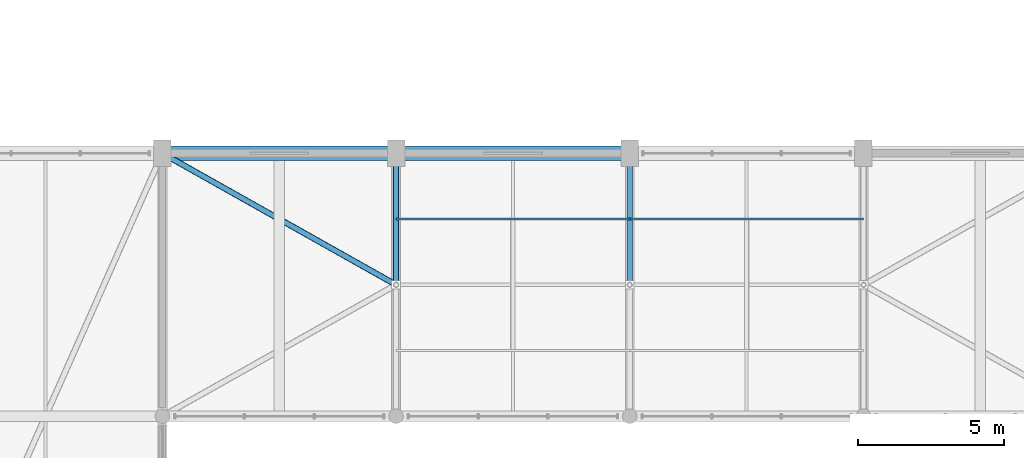
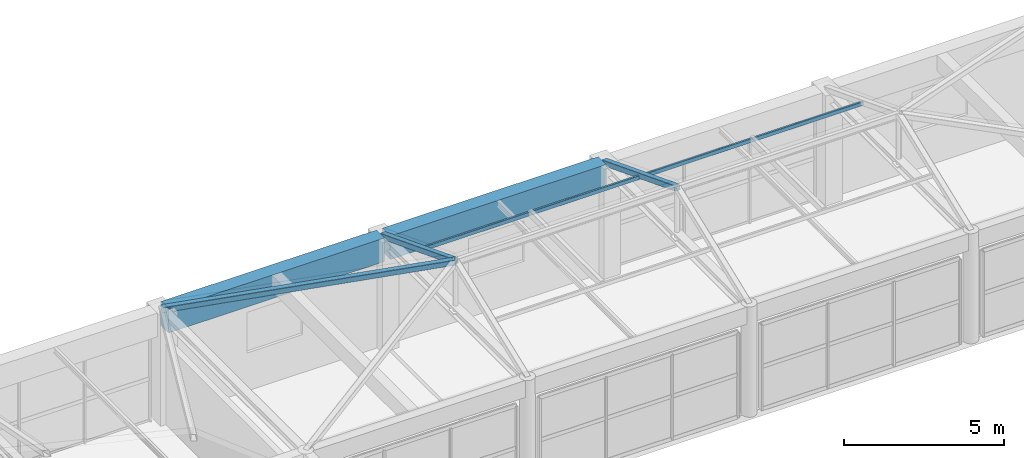
# One storey, part 45 of 65: 5 members, 2 beams.
"""IFC4 building model written with IfcOpenShell, lengths in metres."""

from ifc_helpers import new_model, si_unit, direction, frame, origin, origin_2d, place, context, subcontext, project, spatial, rectangle, hollow_rectangle, extrude, material, material_profile, profile_set, type_object, element, save


model = new_model("IFC4")

# Units and contexts
model_context = context("Model", 3, precision=1e-05, world=origin(), true_north=direction((0.0, 1.0)))
body_context = subcontext(model_context, "Body", "Model", "MODEL_VIEW")
ifc_project = project(units=[si_unit("LENGTHUNIT", "METRE"), si_unit("AREAUNIT", "SQUARE_METRE"), si_unit("VOLUMEUNIT", "CUBIC_METRE"), si_unit("PLANEANGLEUNIT", "RADIAN"), si_unit("MASSUNIT", "GRAM", prefix="KILO")], contexts=[model_context])

# Site, building, storey
site_placement = place(None, origin())
site = spatial("IfcSite", under=ifc_project, at=site_placement, CompositionType="ELEMENT")
building_placement = place(site_placement, origin())
building = spatial("IfcBuilding", under=site, at=building_placement, Name="Varnabhumi Central Station", CompositionType="ELEMENT")
storey_placement = place(building_placement, frame((0.0, 0.0, 24.60009765625)))
storey = spatial("IfcBuildingStorey", under=building, at=storey_placement, Name="L05", CompositionType="ELEMENT", Elevation=24.60009765625)

# Beams
ifc_material_1 = material(Name="Concrete M40", Category="concrete")
ifc_material_profile_1 = material_profile(ifc_material_1, rectangle(XDim=0.5, YDim=0.89990234375, at=origin_2d()), Name="Concrete M40", Category="concrete")
ifc_profile_set_1 = profile_set([ifc_material_profile_1], Name="Concrete M40")
beam_type = type_object("IfcBeamType", Name="BM-RC-500x900", PredefinedType="BEAM", material=ifc_profile_set_1)
for number, where, z_axis, x_axis, name in (
    (1, (112.10009765625, 36.0, 3.75), (1.0, 0.0, 0.0), (0.0, 1.0, 0.0), "Beam L05-E:15-16"),
    (2, (120.10009765625, 36.0, 3.75), (1.0, 0.0, 0.0), (0.0, 1.0, 0.0), "Beam L05-E:16-17"),
):
    element("IfcBeam", number, at=place(storey_placement, frame(where, z_axis=z_axis, x_axis=x_axis)), inside=storey, type_object=beam_type, Name=name, PredefinedType="BEAM", context=body_context, shape_type="SweptSolid", body=[
        extrude(rectangle(XDim=0.5, YDim=0.89990234375, at=origin_2d()), origin(), (0.0, 0.0, 1.0), 7.7998046875),
    ])

# Members
ifc_material_2 = material(Name="Structural steel E350", Category="steel")
ifc_material_profile_2 = material_profile(ifc_material_2, hollow_rectangle(XDim=0.074951171875, YDim=0.14990234375, WallThickness=0.006103515625, InnerFilletRadius=0.006103515625, OuterFilletRadius=0.011962890625, at=origin_2d()), Name="Structural steel E350", Category="steel")
ifc_profile_set_2 = profile_set([ifc_material_profile_2], Name="Structural steel E350")
member_type_1 = type_object("IfcMemberType", Name="MBR-PURL-RHS150", PredefinedType="PURLIN", material=ifc_profile_set_2)
for number, where, z_axis, x_axis, name in (
    (3, (120.0, 33.75, 4.9248046875), (1.0, 0.0, 0.0), (0.0, 1.0, 0.0), "Mission Roof Purlin SW6CN-2-N"),
    (4, (128.0, 33.75, 4.9248046875), (1.0, 0.0, 0.0), (0.0, 1.0, 0.0), "Mission Roof Purlin SW6CN-3-N"),
):
    element("IfcMember", number, at=place(storey_placement, frame(where, z_axis=z_axis, x_axis=x_axis)), inside=storey, type_object=member_type_1, Name=name, PredefinedType="PURLIN", context=body_context, shape_type="SweptSolid", body=[
        extrude(hollow_rectangle(XDim=0.074951171875, YDim=0.14990234375, WallThickness=0.006103515625, InnerFilletRadius=0.006103515625, OuterFilletRadius=0.011962890625, at=origin_2d()), origin(), (0.0, 0.0, 1.0), 8.0),
    ])
ifc_material_profile_3 = material_profile(ifc_material_2, hollow_rectangle(XDim=0.199951171875, YDim=0.199951171875, WallThickness=0.010009765625, InnerFilletRadius=0.010009765625, OuterFilletRadius=0.02001953125, at=origin_2d()), Name="Structural steel E350", Category="steel")
ifc_profile_set_3 = profile_set([ifc_material_profile_3], Name="Structural steel E350")
member_type_2 = type_object("IfcMemberType", Name="MBR-RAFT-SHS200", PredefinedType="RAFTER", material=ifc_profile_set_3)
member_placement = place(storey_placement, frame((112.0, 36.0, 4.10986328125), z_axis=(0.856153773676, -0.481586497693, 0.187283637992), x_axis=(0.490261239633, 0.871575537125, 0.0)))
element("IfcMember", 5, at=member_placement, inside=storey, type_object=member_type_2, Name="Mission Roof Hip Rafter SW6CN-EN", PredefinedType="RAFTER", context=body_context, shape_type="SweptSolid", body=[
    extrude(hollow_rectangle(XDim=0.199951171875, YDim=0.199951171875, WallThickness=0.010009765625, InnerFilletRadius=0.010009765625, OuterFilletRadius=0.02001953125, at=origin_2d()), origin(), (0.0, 0.0, 1.0), 9.343994140625),
])
for number, where, z_axis, x_axis, name in (
    (6, (120.0, 36.0, 4.10986328125), (0.0, -0.932004671541, 0.362446261155), (1.0, 0.0, 0.0), "Mission Roof North Rafter SW6CN-2"),
    (7, (128.0, 36.0, 4.10986328125), (0.0, -0.932004671541, 0.362446261155), (1.0, 0.0, 0.0), "Mission Roof North Rafter SW6CN-3"),
):
    element("IfcMember", number, at=place(storey_placement, frame(where, z_axis=z_axis, x_axis=x_axis)), inside=storey, type_object=member_type_2, Name=name, PredefinedType="RAFTER", context=body_context, shape_type="SweptSolid", body=[
        extrude(hollow_rectangle(XDim=0.199951171875, YDim=0.199951171875, WallThickness=0.010009765625, InnerFilletRadius=0.010009765625, OuterFilletRadius=0.02001953125, at=origin_2d()), origin(), (0.0, 0.0, 1.0), 4.828369140625),
    ])

save(model, "model.ifc")
